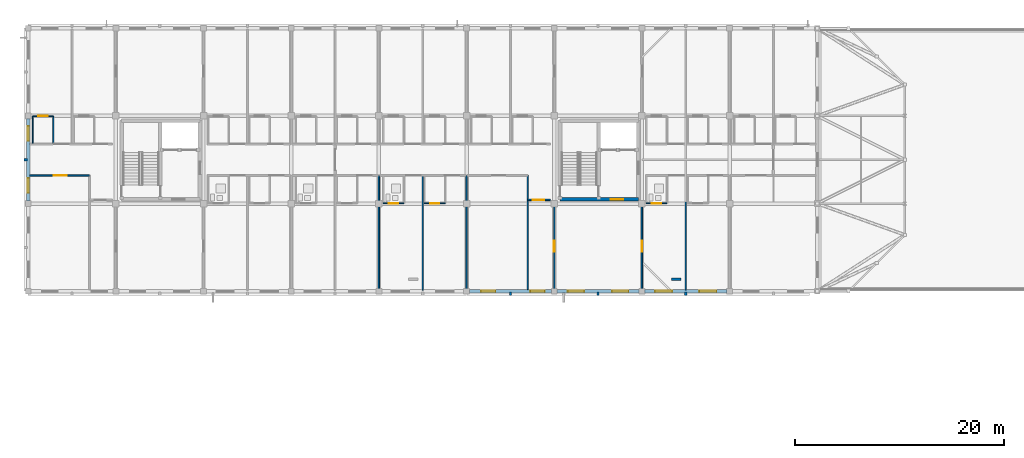
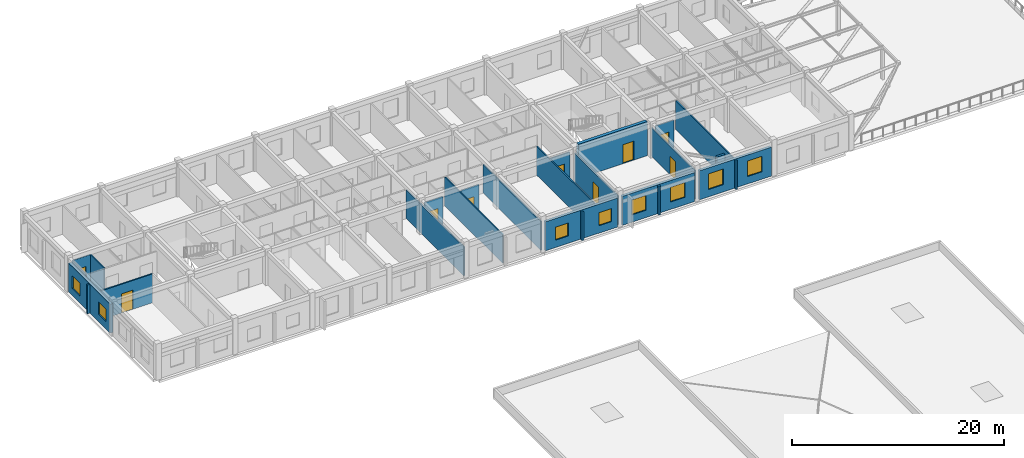
# One storey, part 7 of 21: 25 walls, 9 doors, 8 windows, 17 openings.
"""IFC4 building model written with IfcOpenShell, lengths in metres."""

from ifc_helpers import new_model, si_unit, direction, frame, frame_2d, origin, place, context, subcontext, project, spatial, rectangle, extrude, material, layer, layer_set, type_object, element, fill, save


model = new_model("IFC4")

# Units and contexts
model_context = context("Model", 3, precision=1e-05, world=origin(), true_north=direction((0.0, 1.0)))
body_context = subcontext(model_context, "Body", "Model", "MODEL_VIEW")
ifc_project = project(units=[si_unit("LENGTHUNIT", "METRE"), si_unit("AREAUNIT", "SQUARE_METRE"), si_unit("VOLUMEUNIT", "CUBIC_METRE"), si_unit("PLANEANGLEUNIT", "RADIAN"), si_unit("MASSUNIT", "GRAM", prefix="KILO")], contexts=[model_context])

# Site, building, storey
site_placement = place(None, origin())
site = spatial("IfcSite", under=ifc_project, at=site_placement, CompositionType="ELEMENT")
building_placement = place(site_placement, origin())
building = spatial("IfcBuilding", under=site, at=building_placement, Name="Trelvath General Hospital", CompositionType="ELEMENT")
storey_placement = place(building_placement, frame((0.0, 0.0, 28.800048828125)))
storey = spatial("IfcBuildingStorey", under=building, at=storey_placement, Name="L07", CompositionType="ELEMENT", Elevation=28.800048828125)

# Walls
ifc_material_1 = material(Name="Precast concrete C40/50", Category="concrete")
ifc_layer_1 = layer(ifc_material_1, 0.199951171875)
ifc_layer_set_1 = layer_set([ifc_layer_1], Name="Precast concrete C40/50")
wall_type_1 = type_object("IfcWallType", Name="BriseSoleilRib 200", PredefinedType="ELEMENTEDWALL", material=ifc_layer_set_1)
for number, where, z_axis, x_axis, name in (
    (1, (33.52490234375, 105.0, 0.0), (0.0, 0.0, 1.0), (-1.0, 0.0, 0.0), "Precast Concrete Brise-Soleil Rib Fin L07-461"),
    (2, (79.800048828125, 92.324951171875, 0.0), (0.0, 0.0, 1.0), (0.0, -1.0, 0.0), "Precast Concrete Brise-Soleil Rib Fin L07-472"),
    (3, (88.199951171875, 92.324951171875, 0.0), (0.0, 0.0, 1.0), (0.0, -1.0, 0.0), "Precast Concrete Brise-Soleil Rib Fin L07-474"),
    (4, (96.60009765625, 92.324951171875, 0.0), (0.0, 0.0, 1.0), (0.0, -1.0, 0.0), "Precast Concrete Brise-Soleil Rib Fin L07-476"),
):
    element("IfcWall", number, at=place(storey_placement, frame(where, z_axis=z_axis, x_axis=x_axis)), inside=storey, type_object=wall_type_1, Name=name, PredefinedType="ELEMENTEDWALL", context=body_context, shape_type="SweptSolid", body=[
        extrude(rectangle(XDim=0.33984375, YDim=0.199951171875, at=frame_2d((0.169921875, 0.0))), origin(), (0.0, 0.0, 1.0), 3.320068359375),
    ])

# Wall, opening, door
ifc_material_2 = material(Name="Gypsum acoustic steel-stud partition", Category="steel")
ifc_layer_2 = layer(ifc_material_2, 0.14990234375)
ifc_layer_set_2 = layer_set([ifc_layer_2], Name="Gypsum acoustic steel-stud partition")
wall_type_2 = type_object("IfcWallType", Name="ClinicalPartition 150", PredefinedType="PARTITIONING", material=ifc_layer_set_2)
wall_1_placement = place(storey_placement, frame((33.739990234375, 103.5, 0.0), z_axis=(0.0, 0.0, 1.0), x_axis=(1.0, 0.0, 0.0)))
wall_1 = element("IfcWall", 5, at=wall_1_placement, inside=storey, type_object=wall_type_2, Name="Nurse Station Partition L07-2323", PredefinedType="PARTITIONING", context=body_context, shape_type="SweptSolid", body=[
    extrude(rectangle(XDim=5.719970703125, YDim=0.14990234375, at=frame_2d((2.85986328125, 0.0))), origin(), (0.0, 0.0, 1.0), 3.320068359375),
])
opening_1_placement = place(wall_1_placement, frame((2.320068359375, 0.0, 0.0)))
opening_1 = element("IfcOpeningElement", 6, at=opening_1_placement, cuts=wall_1, Name="Opening D-7-1455", PredefinedType="OPENING", context=body_context, shape_type="SweptSolid", body=[
    extrude(rectangle(XDim=1.25, YDim=2.199951171875, at=frame_2d((0.625, 1.10009765625))), frame((0.0, 0.0849609375, 0.0), z_axis=(0.0, -1.0, 0.0), x_axis=(1.0, 0.0, 0.0)), (0.0, 0.0, 1.0), 0.169921875),
])
ifc_material_3 = material(Name="Acoustic hospital timber leaf", Category="wood")
door_type_1 = type_object("IfcDoorType", Name="Door Treatment 1250x2200", OperationType="NOTDEFINED", PredefinedType="DOOR", material=ifc_material_3)
door_1_placement = place(opening_1_placement, origin())
door_1 = element("IfcDoor", 7, at=door_1_placement, inside=storey, type_object=door_type_1, Name="Nurse Station Door L07-1455", OperationType="SINGLE_SWING_LEFT", OverallHeight=2.199951171875, OverallWidth=1.25, PredefinedType="DOOR", context=body_context, shape_type="SweptSolid", body=[
    extrude(rectangle(XDim=1.25, YDim=2.199951171875, at=frame_2d((0.625, 1.10009765625))), frame((0.0, 0.02490234375, 0.0), z_axis=(0.0, -1.0, 0.0), x_axis=(1.0, 0.0, 0.0)), (0.0, 0.0, 1.0), 0.050048828125),
])
fill(opening_1, door_1)

wall_2_placement = place(storey_placement, frame((81.4599609375, 101.159912109375, 0.0), z_axis=(0.0, 0.0, 1.0), x_axis=(1.0, 0.0, 0.0)))
wall_2 = element("IfcWall", 8, at=wall_2_placement, inside=storey, type_object=wall_type_2, Name="Clean Utility Partition L07-2396", PredefinedType="PARTITIONING", context=body_context, shape_type="SweptSolid", body=[
    extrude(rectangle(XDim=2.179931640625, YDim=0.14990234375, at=frame_2d((1.08984375, 0.0))), origin(), (0.0, 0.0, 1.0), 3.320068359375),
])
opening_2_placement = place(wall_2_placement, frame((0.5, 0.0, 0.0)))
opening_2 = element("IfcOpeningElement", 9, at=opening_2_placement, cuts=wall_2, Name="Opening D-7-1491", PredefinedType="OPENING", context=body_context, shape_type="SweptSolid", body=[
    extrude(rectangle(XDim=1.080078125, YDim=2.14990234375, at=frame_2d((0.5400390625, 1.074951171875))), frame((0.0, 0.0849609375, 0.0), z_axis=(0.0, -1.0, 0.0), x_axis=(1.0, 0.0, 0.0)), (0.0, 0.0, 1.0), 0.169921875),
])
ifc_material_4 = material(Name="Acoustic hospital timber leaf", Category="wood")
door_type_2 = type_object("IfcDoorType", Name="Door CleanSupply 1080x2150", OperationType="NOTDEFINED", PredefinedType="DOOR", material=ifc_material_4)
door_2_placement = place(opening_2_placement, origin())
door_2 = element("IfcDoor", 10, at=door_2_placement, inside=storey, type_object=door_type_2, Name="Clean Utility Door L07-1491", OperationType="SINGLE_SWING_RIGHT", OverallHeight=2.14990234375, OverallWidth=1.080078125, PredefinedType="DOOR", context=body_context, shape_type="SweptSolid", body=[
    extrude(rectangle(XDim=1.080078125, YDim=2.14990234375, at=frame_2d((0.5400390625, 1.074951171875))), frame((0.0, 0.02490234375, 0.0), z_axis=(0.0, -1.0, 0.0), x_axis=(1.0, 0.0, 0.0)), (0.0, 0.0, 1.0), 0.050048828125),
])
fill(opening_2, door_2)

ifc_material_5 = material(Name="Concrete C40/50", Category="concrete")
ifc_layer_3 = layer(ifc_material_5, 0.35009765625)
ifc_layer_set_3 = layer_set([ifc_layer_3], Name="Concrete C40/50")
wall_type_3 = type_object("IfcWallType", Name="CoreShearWall 350", PredefinedType="SHEAR", material=ifc_layer_set_3)
wall_3_placement = place(storey_placement, frame((84.550048828125, 101.199951171875, 0.0), z_axis=(0.0, 0.0, 1.0), x_axis=(1.0, 0.0, 0.0)))
wall_3 = element("IfcWall", 11, at=wall_3_placement, inside=storey, type_object=wall_type_3, Name="Core Shear Wall C2 S L07", PredefinedType="SHEAR", context=body_context, shape_type="SweptSolid", body=[
    extrude(rectangle(XDim=7.5, YDim=0.35009765625, at=frame_2d((3.75, 0.0))), origin(), (0.0, 0.0, 1.0), 3.93994140625),
])
opening_3_placement = place(wall_3_placement, frame((4.85009765625, 0.0, 0.0)))
opening_3 = element("IfcOpeningElement", 12, at=opening_3_placement, cuts=wall_3, Name="Opening FD-LS27", PredefinedType="OPENING", context=body_context, shape_type="SweptSolid", body=[
    extrude(rectangle(XDim=1.199951171875, YDim=2.199951171875, at=frame_2d((0.60009765625, 1.10009765625))), frame((0.0, 0.18505859375, 0.0), z_axis=(0.0, -1.0, 0.0), x_axis=(1.0, 0.0, 0.0)), (0.0, 0.0, 1.0), 0.3701171875),
])
ifc_material_6 = material(Name="Fire-rated steel door", Category="steel")
door_type_3 = type_object("IfcDoorType", Name="Door FireLobby 1200x2200", OperationType="NOTDEFINED", PredefinedType="DOOR", material=ifc_material_6)
door_3_placement = place(opening_3_placement, origin())
door_3 = element("IfcDoor", 13, at=door_3_placement, inside=storey, type_object=door_type_3, Name="Fire Lobby South Door C2 L07", OperationType="SINGLE_SWING_RIGHT", OverallHeight=2.199951171875, OverallWidth=1.199951171875, PredefinedType="DOOR", context=body_context, shape_type="SweptSolid", body=[
    extrude(rectangle(XDim=1.199951171875, YDim=2.199951171875, at=frame_2d((0.60009765625, 1.10009765625))), frame((0.0, 0.02490234375, 0.0), z_axis=(0.0, -1.0, 0.0), x_axis=(1.0, 0.0, 0.0)), (0.0, 0.0, 1.0), 0.050048828125),
])
fill(opening_3, door_3)

# Walls
ifc_material_7 = material(Name="Moisture-resistant tile partition")
ifc_layer_4 = layer(ifc_material_7, 0.110107421875)
ifc_layer_set_4 = layer_set([ifc_layer_4], Name="Moisture-resistant tile partition")
wall_type_4 = type_object("IfcWallType", Name="EnSuiteWetWall 110", PredefinedType="PARTITIONING", material=ifc_layer_set_4)
for number, where, z_axis, x_axis, name in (
    (14, (34.02001953125, 106.570068359375, 0.0), (0.0, 0.0, 1.0), (0.0, 1.0, 0.0), "En-Suite W Wall N L07-2328"),
    (15, (36.0, 106.570068359375, 0.0), (0.0, 0.0, 1.0), (0.0, 1.0, 0.0), "En-Suite E Wall N L07-2329"),
):
    element("IfcWall", number, at=place(storey_placement, frame(where, z_axis=z_axis, x_axis=x_axis)), inside=storey, type_object=wall_type_4, Name=name, PredefinedType="PARTITIONING", context=body_context, shape_type="SweptSolid", body=[
        extrude(rectangle(XDim=2.60986328125, YDim=0.110107421875, at=frame_2d((1.304931640625, 0.0))), origin(), (0.0, 0.0, 1.0), 3.320068359375),
    ])

# Wall, opening, door
wall_4_placement = place(storey_placement, frame((34.02001953125, 109.179931640625, 0.0), z_axis=(0.0, 0.0, 1.0), x_axis=(1.0, 0.0, 0.0)))
wall_4 = element("IfcWall", 16, at=wall_4_placement, inside=storey, type_object=wall_type_4, Name="En-Suite Bathroom N Partition L07-2330", PredefinedType="PARTITIONING", context=body_context, shape_type="SweptSolid", body=[
    extrude(rectangle(XDim=1.97998046875, YDim=0.110107421875, at=frame_2d((0.989990234375, 0.0))), origin(), (0.0, 0.0, 1.0), 3.320068359375),
])
opening_4_placement = place(wall_4_placement, frame((0.5400390625, 0.0, 0.0)))
opening_4 = element("IfcOpeningElement", 17, at=opening_4_placement, cuts=wall_4, Name="Opening D-7-1459", PredefinedType="OPENING", context=body_context, shape_type="SweptSolid", body=[
    extrude(rectangle(XDim=0.89990234375, YDim=2.10009765625, at=frame_2d((0.449951171875, 1.050048828125))), frame((0.0, 0.06494140625, 0.0), z_axis=(0.0, -1.0, 0.0), x_axis=(1.0, 0.0, 0.0)), (0.0, 0.0, 1.0), 0.130126953125),
])
ifc_material_8 = material(Name="Moisture-sealed timber leaf", Category="wood")
door_type_4 = type_object("IfcDoorType", Name="Door EnSuite 900x2100", OperationType="NOTDEFINED", PredefinedType="DOOR", material=ifc_material_8)
door_4_placement = place(opening_4_placement, origin())
door_4 = element("IfcDoor", 18, at=door_4_placement, inside=storey, type_object=door_type_4, Name="En-Suite Bathroom N Door L07-1459", OperationType="SINGLE_SWING_RIGHT", OverallHeight=2.10009765625, OverallWidth=0.89990234375, PredefinedType="DOOR", context=body_context, shape_type="SweptSolid", body=[
    extrude(rectangle(XDim=0.89990234375, YDim=2.10009765625, at=frame_2d((0.449951171875, 1.050048828125))), frame((0.0, 0.02490234375, 0.0), z_axis=(0.0, -1.0, 0.0), x_axis=(1.0, 0.0, 0.0)), (0.0, 0.0, 1.0), 0.050048828125),
])
fill(opening_4, door_4)

wall_5_placement = place(storey_placement, frame((67.6201171875, 100.820068359375, 0.0), z_axis=(0.0, 0.0, 1.0), x_axis=(1.0, 0.0, 0.0)))
wall_5 = element("IfcWall", 19, at=wall_5_placement, inside=storey, type_object=wall_type_4, Name="En-Suite Bathroom Partition L07-2379", PredefinedType="PARTITIONING", context=body_context, shape_type="SweptSolid", body=[
    extrude(rectangle(XDim=1.97998046875, YDim=0.110107421875, at=frame_2d((0.989990234375, 0.0))), origin(), (0.0, 0.0, 1.0), 3.320068359375),
])
opening_5_placement = place(wall_5_placement, frame((0.5400390625, 0.0, 0.0)))
opening_5 = element("IfcOpeningElement", 20, at=opening_5_placement, cuts=wall_5, Name="Opening D-7-1484", PredefinedType="OPENING", context=body_context, shape_type="SweptSolid", body=[
    extrude(rectangle(XDim=0.89990234375, YDim=2.10009765625, at=frame_2d((0.449951171875, 1.050048828125))), frame((0.0, 0.06494140625, 0.0), z_axis=(0.0, -1.0, 0.0), x_axis=(1.0, 0.0, 0.0)), (0.0, 0.0, 1.0), 0.130126953125),
])
door_5_placement = place(opening_5_placement, origin())
door_5 = element("IfcDoor", 21, at=door_5_placement, inside=storey, type_object=door_type_4, Name="En-Suite Bathroom Door L07-1484", OperationType="SINGLE_SWING_RIGHT", OverallHeight=2.10009765625, OverallWidth=0.89990234375, PredefinedType="DOOR", context=body_context, shape_type="SweptSolid", body=[
    extrude(rectangle(XDim=0.89990234375, YDim=2.10009765625, at=frame_2d((0.449951171875, 1.050048828125))), frame((0.0, 0.02490234375, 0.0), z_axis=(0.0, -1.0, 0.0), x_axis=(1.0, 0.0, 0.0)), (0.0, 0.0, 1.0), 0.050048828125),
])
fill(opening_5, door_5)

wall_6_placement = place(storey_placement, frame((71.56005859375, 100.820068359375, 0.0), z_axis=(0.0, 0.0, 1.0), x_axis=(1.0, 0.0, 0.0)))
wall_6 = element("IfcWall", 22, at=wall_6_placement, inside=storey, type_object=wall_type_4, Name="En-Suite Bathroom Partition L07-2382", PredefinedType="PARTITIONING", context=body_context, shape_type="SweptSolid", body=[
    extrude(rectangle(XDim=1.97998046875, YDim=0.110107421875, at=frame_2d((0.989990234375, 0.0))), origin(), (0.0, 0.0, 1.0), 3.320068359375),
])
opening_6_placement = place(wall_6_placement, frame((0.5400390625, 0.0, 0.0)))
opening_6 = element("IfcOpeningElement", 23, at=opening_6_placement, cuts=wall_6, Name="Opening D-7-1485", PredefinedType="OPENING", context=body_context, shape_type="SweptSolid", body=[
    extrude(rectangle(XDim=0.89990234375, YDim=2.10009765625, at=frame_2d((0.449951171875, 1.050048828125))), frame((0.0, 0.06494140625, 0.0), z_axis=(0.0, -1.0, 0.0), x_axis=(1.0, 0.0, 0.0)), (0.0, 0.0, 1.0), 0.130126953125),
])
door_6_placement = place(opening_6_placement, origin())
door_6 = element("IfcDoor", 24, at=door_6_placement, inside=storey, type_object=door_type_4, Name="En-Suite Bathroom Door L07-1485", OperationType="SINGLE_SWING_LEFT", OverallHeight=2.10009765625, OverallWidth=0.89990234375, PredefinedType="DOOR", context=body_context, shape_type="SweptSolid", body=[
    extrude(rectangle(XDim=0.89990234375, YDim=2.10009765625, at=frame_2d((0.449951171875, 1.050048828125))), frame((0.0, 0.02490234375, 0.0), z_axis=(0.0, -1.0, 0.0), x_axis=(1.0, 0.0, 0.0)), (0.0, 0.0, 1.0), 0.050048828125),
])
fill(opening_6, door_6)

wall_7_placement = place(storey_placement, frame((92.820068359375, 100.820068359375, 0.0), z_axis=(0.0, 0.0, 1.0), x_axis=(1.0, 0.0, 0.0)))
wall_7 = element("IfcWall", 25, at=wall_7_placement, inside=storey, type_object=wall_type_4, Name="En-Suite Bathroom Partition L07-2413", PredefinedType="PARTITIONING", context=body_context, shape_type="SweptSolid", body=[
    extrude(rectangle(XDim=1.97998046875, YDim=0.110107421875, at=frame_2d((0.989990234375, 0.0))), origin(), (0.0, 0.0, 1.0), 3.320068359375),
])
opening_7_placement = place(wall_7_placement, frame((0.5400390625, 0.0, 0.0)))
opening_7 = element("IfcOpeningElement", 26, at=opening_7_placement, cuts=wall_7, Name="Opening D-7-1502", PredefinedType="OPENING", context=body_context, shape_type="SweptSolid", body=[
    extrude(rectangle(XDim=0.89990234375, YDim=2.10009765625, at=frame_2d((0.449951171875, 1.050048828125))), frame((0.0, 0.06494140625, 0.0), z_axis=(0.0, -1.0, 0.0), x_axis=(1.0, 0.0, 0.0)), (0.0, 0.0, 1.0), 0.130126953125),
])
door_7_placement = place(opening_7_placement, origin())
door_7 = element("IfcDoor", 27, at=door_7_placement, inside=storey, type_object=door_type_4, Name="En-Suite Bathroom Door L07-1502", OperationType="SINGLE_SWING_RIGHT", OverallHeight=2.10009765625, OverallWidth=0.89990234375, PredefinedType="DOOR", context=body_context, shape_type="SweptSolid", body=[
    extrude(rectangle(XDim=0.89990234375, YDim=2.10009765625, at=frame_2d((0.449951171875, 1.050048828125))), frame((0.0, 0.02490234375, 0.0), z_axis=(0.0, -1.0, 0.0), x_axis=(1.0, 0.0, 0.0)), (0.0, 0.0, 1.0), 0.050048828125),
])
fill(opening_7, door_7)

# Wall, openings, windows
ifc_material_9 = material(Name="Concrete C35/45", Category="concrete")
ifc_layer_5 = layer(ifc_material_9, 0.2900390625)
ifc_layer_set_5 = layer_set([ifc_layer_5], Name="Concrete C35/45")
wall_type_5 = type_object("IfcWallType", Name="ExtBushHammeredWall 290", PredefinedType="SOLIDWALL", material=ifc_layer_set_5)
wall_8_placement = place(storey_placement, frame((33.60009765625, 101.070068359375, 0.0), z_axis=(0.0, 0.0, 1.0), x_axis=(0.0, 1.0, 0.0)))
wall_8 = element("IfcWall", 28, at=wall_8_placement, inside=storey, type_object=wall_type_5, Name="Exterior Concrete Wall L07-610", PredefinedType="SOLIDWALL", context=body_context, shape_type="SweptSolid", body=[
    extrude(rectangle(XDim=7.85986328125, YDim=0.2900390625, at=frame_2d((3.929931640625, 0.0))), origin(), (0.0, 0.0, 1.0), 3.33984375),
])
opening_8_placement = place(wall_8_placement, frame((0.7548828125, 0.0, 0.85009765625)))
opening_8 = element("IfcOpeningElement", 29, at=opening_8_placement, cuts=wall_8, Name="Opening WN-7-1027", PredefinedType="OPENING", context=body_context, shape_type="SweptSolid", body=[
    extrude(rectangle(XDim=1.419921875, YDim=1.449951171875, at=frame_2d((0.7099609375, 0.72509765625))), frame((0.0, 0.155029296875, 0.0), z_axis=(0.0, -1.0, 0.0), x_axis=(1.0, 0.0, 0.0)), (0.0, 0.0, 1.0), 0.31005859375),
])
opening_9_placement = place(wall_8_placement, frame((5.735107421875, 0.0, 0.85009765625)))
opening_9 = element("IfcOpeningElement", 30, at=opening_9_placement, cuts=wall_8, Name="Opening WN-7-1028", PredefinedType="OPENING", context=body_context, shape_type="SweptSolid", body=[
    extrude(rectangle(XDim=1.419921875, YDim=1.449951171875, at=frame_2d((0.7099609375, 0.72509765625))), frame((0.0, 0.155029296875, 0.0), z_axis=(0.0, -1.0, 0.0), x_axis=(1.0, 0.0, 0.0)), (0.0, 0.0, 1.0), 0.31005859375),
])
ifc_material_10 = material(Name="Low-E laminated glass", Category="glass")
window_type_1 = type_object("IfcWindowType", Name="Window Lab 1420x1450", PartitioningType="DOUBLE_PANEL_VERTICAL", PredefinedType="WINDOW", material=ifc_material_10)
window_1_placement = place(opening_8_placement, origin())
window_1 = element("IfcWindow", 31, at=window_1_placement, inside=storey, type_object=window_type_1, Name="Solar Reveal Window L07-1027", OverallHeight=1.449951171875, OverallWidth=1.419921875, PartitioningType="SINGLE_PANEL", PredefinedType="WINDOW", context=body_context, shape_type="SweptSolid", body=[
    extrude(rectangle(XDim=1.419921875, YDim=1.449951171875, at=frame_2d((0.7099609375, 0.72509765625))), frame((0.0, 0.030029296875, 0.0), z_axis=(0.0, -1.0, 0.0), x_axis=(1.0, 0.0, 0.0)), (0.0, 0.0, 1.0), 0.06005859375),
])
fill(opening_8, window_1)
window_2_placement = place(opening_9_placement, origin())
window_2 = element("IfcWindow", 32, at=window_2_placement, inside=storey, type_object=window_type_1, Name="Solar Reveal Window L07-1028", OverallHeight=1.449951171875, OverallWidth=1.419921875, PartitioningType="SINGLE_PANEL", PredefinedType="WINDOW", context=body_context, shape_type="SweptSolid", body=[
    extrude(rectangle(XDim=1.419921875, YDim=1.449951171875, at=frame_2d((0.7099609375, 0.72509765625))), frame((0.0, 0.030029296875, 0.0), z_axis=(0.0, -1.0, 0.0), x_axis=(1.0, 0.0, 0.0)), (0.0, 0.0, 1.0), 0.06005859375),
])
fill(opening_9, window_2)

wall_9_placement = place(storey_placement, frame((83.72998046875, 92.39990234375, 0.0), z_axis=(0.0, 0.0, 1.0), x_axis=(-1.0, 0.0, 0.0)))
wall_9 = element("IfcWall", 33, at=wall_9_placement, inside=storey, type_object=wall_type_5, Name="Exterior Concrete Wall L07-621", PredefinedType="SOLIDWALL", context=body_context, shape_type="SweptSolid", body=[
    extrude(rectangle(XDim=7.85986328125, YDim=0.2900390625, at=frame_2d((3.929931640625, 0.0))), origin(), (0.0, 0.0, 1.0), 3.33984375),
])
opening_10_placement = place(wall_9_placement, frame((0.64501953125, 0.0, 0.85009765625)))
opening_10 = element("IfcOpeningElement", 34, at=opening_10_placement, cuts=wall_9, Name="Opening WN-7-1049", PredefinedType="OPENING", context=body_context, shape_type="SweptSolid", body=[
    extrude(rectangle(XDim=1.3798828125, YDim=1.5, at=frame_2d((0.68994140625, 0.75))), frame((0.0, 0.155029296875, 0.0), z_axis=(0.0, -1.0, 0.0), x_axis=(1.0, 0.0, 0.0)), (0.0, 0.0, 1.0), 0.31005859375),
])
opening_11_placement = place(wall_9_placement, frame((5.3623046875, 0.0, 0.85009765625)))
opening_11 = element("IfcOpeningElement", 35, at=opening_11_placement, cuts=wall_9, Name="Opening WN-7-1050", PredefinedType="OPENING", context=body_context, shape_type="SweptSolid", body=[
    extrude(rectangle(XDim=1.3798828125, YDim=1.5, at=frame_2d((0.68994140625, 0.75))), frame((0.0, 0.155029296875, 0.0), z_axis=(0.0, -1.0, 0.0), x_axis=(1.0, 0.0, 0.0)), (0.0, 0.0, 1.0), 0.31005859375),
])
ifc_material_11 = material(Name="Low-E laminated glass", Category="glass")
window_type_2 = type_object("IfcWindowType", Name="Window Admin 1380x1500", PartitioningType="SINGLE_PANEL", PredefinedType="WINDOW", material=ifc_material_11)
window_3_placement = place(opening_10_placement, origin())
window_3 = element("IfcWindow", 36, at=window_3_placement, inside=storey, type_object=window_type_2, Name="Solar Reveal Window L07-1049", OverallHeight=1.5, OverallWidth=1.3798828125, PartitioningType="SINGLE_PANEL", PredefinedType="WINDOW", context=body_context, shape_type="SweptSolid", body=[
    extrude(rectangle(XDim=1.3798828125, YDim=1.5, at=frame_2d((0.68994140625, 0.75))), frame((0.0, 0.030029296875, 0.0), z_axis=(0.0, -1.0, 0.0), x_axis=(1.0, 0.0, 0.0)), (0.0, 0.0, 1.0), 0.06005859375),
])
fill(opening_10, window_3)
window_4_placement = place(opening_11_placement, origin())
window_4 = element("IfcWindow", 37, at=window_4_placement, inside=storey, type_object=window_type_2, Name="Solar Reveal Window L07-1050", OverallHeight=1.5, OverallWidth=1.3798828125, PartitioningType="SINGLE_PANEL", PredefinedType="WINDOW", context=body_context, shape_type="SweptSolid", body=[
    extrude(rectangle(XDim=1.3798828125, YDim=1.5, at=frame_2d((0.68994140625, 0.75))), frame((0.0, 0.030029296875, 0.0), z_axis=(0.0, -1.0, 0.0), x_axis=(1.0, 0.0, 0.0)), (0.0, 0.0, 1.0), 0.06005859375),
])
fill(opening_11, window_4)

wall_10_placement = place(storey_placement, frame((92.1298828125, 92.39990234375, 0.0), z_axis=(0.0, 0.0, 1.0), x_axis=(-1.0, 0.0, 0.0)))
wall_10 = element("IfcWall", 38, at=wall_10_placement, inside=storey, type_object=wall_type_5, Name="Exterior Concrete Wall L07-623", PredefinedType="SOLIDWALL", context=body_context, shape_type="SweptSolid", body=[
    extrude(rectangle(XDim=7.85986328125, YDim=0.2900390625, at=frame_2d((3.929931640625, 0.0))), origin(), (0.0, 0.0, 1.0), 3.33984375),
])
opening_12_placement = place(wall_10_placement, frame((1.02783203125, 0.0, 0.85009765625)))
opening_12 = element("IfcOpeningElement", 39, at=opening_12_placement, cuts=wall_10, Name="Opening WN-7-1053", PredefinedType="OPENING", context=body_context, shape_type="SweptSolid", body=[
    extrude(rectangle(XDim=1.56005859375, YDim=1.699951171875, at=frame_2d((0.780029296875, 0.85009765625))), frame((0.0, 0.155029296875, 0.0), z_axis=(0.0, -1.0, 0.0), x_axis=(1.0, 0.0, 0.0)), (0.0, 0.0, 1.0), 0.31005859375),
])
opening_13_placement = place(wall_10_placement, frame((5.272216796875, 0.0, 0.85009765625)))
opening_13 = element("IfcOpeningElement", 40, at=opening_13_placement, cuts=wall_10, Name="Opening WN-7-1054", PredefinedType="OPENING", context=body_context, shape_type="SweptSolid", body=[
    extrude(rectangle(XDim=1.56005859375, YDim=1.699951171875, at=frame_2d((0.780029296875, 0.85009765625))), frame((0.0, 0.155029296875, 0.0), z_axis=(0.0, -1.0, 0.0), x_axis=(1.0, 0.0, 0.0)), (0.0, 0.0, 1.0), 0.31005859375),
])
ifc_material_12 = material(Name="Low-E laminated glass", Category="glass")
window_type_3 = type_object("IfcWindowType", Name="Window Dialysis 1560x1700", PartitioningType="DOUBLE_PANEL_VERTICAL", PredefinedType="WINDOW", material=ifc_material_12)
window_5_placement = place(opening_12_placement, origin())
window_5 = element("IfcWindow", 41, at=window_5_placement, inside=storey, type_object=window_type_3, Name="Solar Reveal Window L07-1053", OverallHeight=1.699951171875, OverallWidth=1.56005859375, PartitioningType="SINGLE_PANEL", PredefinedType="WINDOW", context=body_context, shape_type="SweptSolid", body=[
    extrude(rectangle(XDim=1.56005859375, YDim=1.699951171875, at=frame_2d((0.780029296875, 0.85009765625))), frame((0.0, 0.030029296875, 0.0), z_axis=(0.0, -1.0, 0.0), x_axis=(1.0, 0.0, 0.0)), (0.0, 0.0, 1.0), 0.06005859375),
])
fill(opening_12, window_5)
window_6_placement = place(opening_13_placement, origin())
window_6 = element("IfcWindow", 42, at=window_6_placement, inside=storey, type_object=window_type_3, Name="Solar Reveal Window L07-1054", OverallHeight=1.699951171875, OverallWidth=1.56005859375, PartitioningType="SINGLE_PANEL", PredefinedType="WINDOW", context=body_context, shape_type="SweptSolid", body=[
    extrude(rectangle(XDim=1.56005859375, YDim=1.699951171875, at=frame_2d((0.780029296875, 0.85009765625))), frame((0.0, 0.030029296875, 0.0), z_axis=(0.0, -1.0, 0.0), x_axis=(1.0, 0.0, 0.0)), (0.0, 0.0, 1.0), 0.06005859375),
])
fill(opening_13, window_6)

wall_11_placement = place(storey_placement, frame((100.530029296875, 92.39990234375, 0.0), z_axis=(0.0, 0.0, 1.0), x_axis=(-1.0, 0.0, 0.0)))
wall_11 = element("IfcWall", 43, at=wall_11_placement, inside=storey, type_object=wall_type_5, Name="Exterior Concrete Wall L07-625", PredefinedType="SOLIDWALL", context=body_context, shape_type="SweptSolid", body=[
    extrude(rectangle(XDim=7.860107421875, YDim=0.2900390625, at=frame_2d((3.93017578125, 0.0))), origin(), (0.0, 0.0, 1.0), 3.33984375),
])
opening_14_placement = place(wall_11_placement, frame((0.997802734375, 0.0, 0.85009765625)))
opening_14 = element("IfcOpeningElement", 44, at=opening_14_placement, cuts=wall_11, Name="Opening WN-7-1057", PredefinedType="OPENING", context=body_context, shape_type="SweptSolid", body=[
    extrude(rectangle(XDim=1.6201171875, YDim=1.800048828125, at=frame_2d((0.81005859375, 0.89990234375))), frame((0.0, 0.155029296875, 0.0), z_axis=(0.0, -1.0, 0.0), x_axis=(1.0, 0.0, 0.0)), (0.0, 0.0, 1.0), 0.31005859375),
])
opening_15_placement = place(wall_11_placement, frame((5.2421875, 0.0, 0.85009765625)))
opening_15 = element("IfcOpeningElement", 45, at=opening_15_placement, cuts=wall_11, Name="Opening WN-7-1058", PredefinedType="OPENING", context=body_context, shape_type="SweptSolid", body=[
    extrude(rectangle(XDim=1.6201171875, YDim=1.800048828125, at=frame_2d((0.81005859375, 0.89990234375))), frame((0.0, 0.155029296875, 0.0), z_axis=(0.0, -1.0, 0.0), x_axis=(1.0, 0.0, 0.0)), (0.0, 0.0, 1.0), 0.31005859375),
])
ifc_material_13 = material(Name="Low-E laminated glass", Category="glass")
window_type_4 = type_object("IfcWindowType", Name="Window Rehab 1620x1800", PartitioningType="DOUBLE_PANEL_VERTICAL", PredefinedType="WINDOW", material=ifc_material_13)
window_7_placement = place(opening_14_placement, origin())
window_7 = element("IfcWindow", 46, at=window_7_placement, inside=storey, type_object=window_type_4, Name="Solar Reveal Window L07-1057", OverallHeight=1.800048828125, OverallWidth=1.6201171875, PartitioningType="SINGLE_PANEL", PredefinedType="WINDOW", context=body_context, shape_type="SweptSolid", body=[
    extrude(rectangle(XDim=1.6201171875, YDim=1.800048828125, at=frame_2d((0.81005859375, 0.89990234375))), frame((0.0, 0.030029296875, 0.0), z_axis=(0.0, -1.0, 0.0), x_axis=(1.0, 0.0, 0.0)), (0.0, 0.0, 1.0), 0.06005859375),
])
fill(opening_14, window_7)
window_8_placement = place(opening_15_placement, origin())
window_8 = element("IfcWindow", 47, at=window_8_placement, inside=storey, type_object=window_type_4, Name="Solar Reveal Window L07-1058", OverallHeight=1.800048828125, OverallWidth=1.6201171875, PartitioningType="SINGLE_PANEL", PredefinedType="WINDOW", context=body_context, shape_type="SweptSolid", body=[
    extrude(rectangle(XDim=1.6201171875, YDim=1.800048828125, at=frame_2d((0.81005859375, 0.89990234375))), frame((0.0, 0.030029296875, 0.0), z_axis=(0.0, -1.0, 0.0), x_axis=(1.0, 0.0, 0.0)), (0.0, 0.0, 1.0), 0.06005859375),
])
fill(opening_15, window_8)

# Walls
ifc_material_14 = material(Name="Masonry service chase blockwork", Category="masonry")
ifc_layer_6 = layer(ifc_material_14, 0.239990234375)
ifc_layer_set_6 = layer_set([ifc_layer_6], Name="Masonry service chase blockwork")
wall_type_6 = type_object("IfcWallType", Name="PlumbingChaseWall 240", PredefinedType="PLUMBINGWALL", material=ifc_layer_set_6)
wall_12_placement = place(storey_placement, frame((95.25, 93.550048828125, 0.0), z_axis=(0.0, 0.0, 1.0), x_axis=(1.0, 0.0, 0.0)))
element("IfcWall", 48, at=wall_12_placement, inside=storey, type_object=wall_type_6, Name="Medical Gas Plumbing Chase L07-2417", PredefinedType="PLUMBINGWALL", context=body_context, shape_type="SweptSolid", body=[
    extrude(rectangle(XDim=0.89990234375, YDim=0.239990234375, at=frame_2d((0.449951171875, 0.0))), origin(), (0.0, 0.0, 1.0), 3.320068359375),
])
ifc_material_15 = material(Name="Gypsum acoustic steel-stud partition", Category="steel")
ifc_layer_7 = layer(ifc_material_15, 0.1298828125)
ifc_layer_set_7 = layer_set([ifc_layer_7], Name="Gypsum acoustic steel-stud partition")
wall_type_7 = type_object("IfcWallType", Name="WardPartition 130", PredefinedType="PARTITIONING", material=ifc_layer_set_7)
wall_13_placement = place(storey_placement, frame((67.199951171875, 92.5400390625, 0.0), z_axis=(0.0, 0.0, 1.0), x_axis=(0.0, 1.0, 0.0)))
element("IfcWall", 49, at=wall_13_placement, inside=storey, type_object=wall_type_7, Name="Inter-Bay Ward Partition S L07-2373", PredefinedType="PARTITIONING", context=body_context, shape_type="SweptSolid", body=[
    extrude(rectangle(XDim=10.93994140625, YDim=0.1298828125, at=frame_2d((5.469970703125, 0.0))), origin(), (0.0, 0.0, 1.0), 3.320068359375),
])
wall_14_placement = place(storey_placement, frame((71.39990234375, 92.5, 0.0), z_axis=(0.0, 0.0, 1.0), x_axis=(0.0, 1.0, 0.0)))
element("IfcWall", 50, at=wall_14_placement, inside=storey, type_object=wall_type_7, Name="Room Dividing Partition S L07-2376", PredefinedType="PARTITIONING", context=body_context, shape_type="SweptSolid", body=[
    extrude(rectangle(XDim=10.929931640625, YDim=0.1298828125, at=frame_2d((5.46484375, 0.0))), origin(), (0.0, 0.0, 1.0), 3.320068359375),
])
for number, where, z_axis, x_axis, name in (
    (51, (75.60009765625, 92.5400390625, 0.0), (0.0, 0.0, 1.0), (0.0, 1.0, 0.0), "Inter-Bay Ward Partition S L07-2392"),
    (52, (81.4599609375, 92.56005859375, 0.0), (0.0, 0.0, 1.0), (0.0, 1.0, 0.0), "Nurse Alcove Partition L07-2395"),
):
    element("IfcWall", number, at=place(storey_placement, frame(where, z_axis=z_axis, x_axis=x_axis)), inside=storey, type_object=wall_type_7, Name=name, PredefinedType="PARTITIONING", context=body_context, shape_type="SweptSolid", body=[
        extrude(rectangle(XDim=10.93994140625, YDim=0.1298828125, at=frame_2d((5.469970703125, 0.0))), origin(), (0.0, 0.0, 1.0), 3.320068359375),
    ])

# Wall, opening, door
wall_15_placement = place(storey_placement, frame((84.0, 92.5400390625, 0.0), z_axis=(0.0, 0.0, 1.0), x_axis=(0.0, 1.0, 0.0)))
wall_15 = element("IfcWall", 53, at=wall_15_placement, inside=storey, type_object=wall_type_7, Name="Inter-Bay Ward Partition S L07-2405", PredefinedType="PARTITIONING", context=body_context, shape_type="SweptSolid", body=[
    extrude(rectangle(XDim=8.2099609375, YDim=0.1298828125, at=frame_2d((4.10498046875, 0.0))), origin(), (0.0, 0.0, 1.0), 3.320068359375),
])
opening_16_placement = place(wall_15_placement, frame((3.639892578125, 0.0, 0.0)))
opening_16 = element("IfcOpeningElement", 54, at=opening_16_placement, cuts=wall_15, Name="Opening D-7-1496", PredefinedType="OPENING", context=body_context, shape_type="SweptSolid", body=[
    extrude(rectangle(XDim=1.080078125, YDim=2.14990234375, at=frame_2d((0.5400390625, 1.074951171875))), frame((0.0, 0.074951171875, 0.0), z_axis=(0.0, -1.0, 0.0), x_axis=(1.0, 0.0, 0.0)), (0.0, 0.0, 1.0), 0.14990234375),
])
door_8_placement = place(opening_16_placement, origin())
door_8 = element("IfcDoor", 55, at=door_8_placement, inside=storey, type_object=door_type_2, Name="Clean Supply Connecting Door L07-1496", OperationType="SINGLE_SWING_RIGHT", OverallHeight=2.14990234375, OverallWidth=1.080078125, PredefinedType="DOOR", context=body_context, shape_type="SweptSolid", body=[
    extrude(rectangle(XDim=1.080078125, YDim=2.14990234375, at=frame_2d((0.5400390625, 1.074951171875))), frame((0.0, 0.02490234375, 0.0), z_axis=(0.0, -1.0, 0.0), x_axis=(1.0, 0.0, 0.0)), (0.0, 0.0, 1.0), 0.050048828125),
])
fill(opening_16, door_8)

wall_16_placement = place(storey_placement, frame((92.39990234375, 92.5400390625, 0.0), z_axis=(0.0, 0.0, 1.0), x_axis=(0.0, 1.0, 0.0)))
wall_16 = element("IfcWall", 56, at=wall_16_placement, inside=storey, type_object=wall_type_7, Name="Inter-Bay Ward Partition S L07-2407", PredefinedType="PARTITIONING", context=body_context, shape_type="SweptSolid", body=[
    extrude(rectangle(XDim=8.2099609375, YDim=0.1298828125, at=frame_2d((4.10498046875, 0.0))), origin(), (0.0, 0.0, 1.0), 3.320068359375),
])
opening_17_placement = place(wall_16_placement, frame((3.639892578125, 0.0, 0.0)))
opening_17 = element("IfcOpeningElement", 57, at=opening_17_placement, cuts=wall_16, Name="Opening D-7-1498", PredefinedType="OPENING", context=body_context, shape_type="SweptSolid", body=[
    extrude(rectangle(XDim=1.080078125, YDim=2.14990234375, at=frame_2d((0.5400390625, 1.074951171875))), frame((0.0, 0.074951171875, 0.0), z_axis=(0.0, -1.0, 0.0), x_axis=(1.0, 0.0, 0.0)), (0.0, 0.0, 1.0), 0.14990234375),
])
door_9_placement = place(opening_17_placement, origin())
door_9 = element("IfcDoor", 58, at=door_9_placement, inside=storey, type_object=door_type_2, Name="Clean Supply Connecting Door L07-1498", OperationType="SINGLE_SWING_RIGHT", OverallHeight=2.14990234375, OverallWidth=1.080078125, PredefinedType="DOOR", context=body_context, shape_type="SweptSolid", body=[
    extrude(rectangle(XDim=1.080078125, YDim=2.14990234375, at=frame_2d((0.5400390625, 1.074951171875))), frame((0.0, 0.02490234375, 0.0), z_axis=(0.0, -1.0, 0.0), x_axis=(1.0, 0.0, 0.0)), (0.0, 0.0, 1.0), 0.050048828125),
])
fill(opening_17, door_9)

# Wall
wall_17_placement = place(storey_placement, frame((96.60009765625, 92.5, 0.0), z_axis=(0.0, 0.0, 1.0), x_axis=(0.0, 1.0, 0.0)))
element("IfcWall", 59, at=wall_17_placement, inside=storey, type_object=wall_type_7, Name="Room Dividing Partition S L07-2410", PredefinedType="PARTITIONING", context=body_context, shape_type="SweptSolid", body=[
    extrude(rectangle(XDim=10.929931640625, YDim=0.1298828125, at=frame_2d((5.46484375, 0.0))), origin(), (0.0, 0.0, 1.0), 3.320068359375),
])

save(model, "model.ifc")
